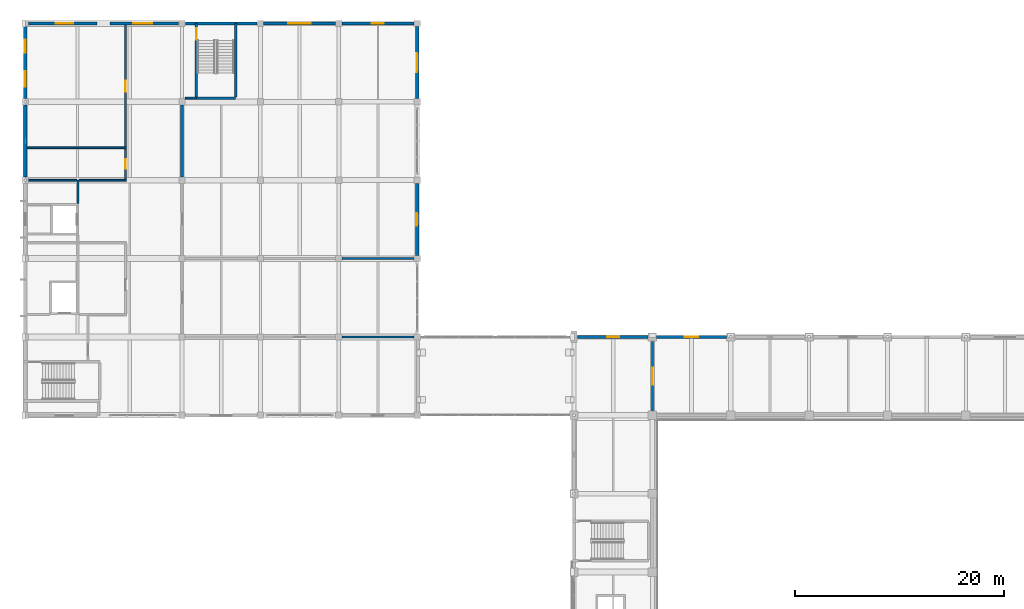
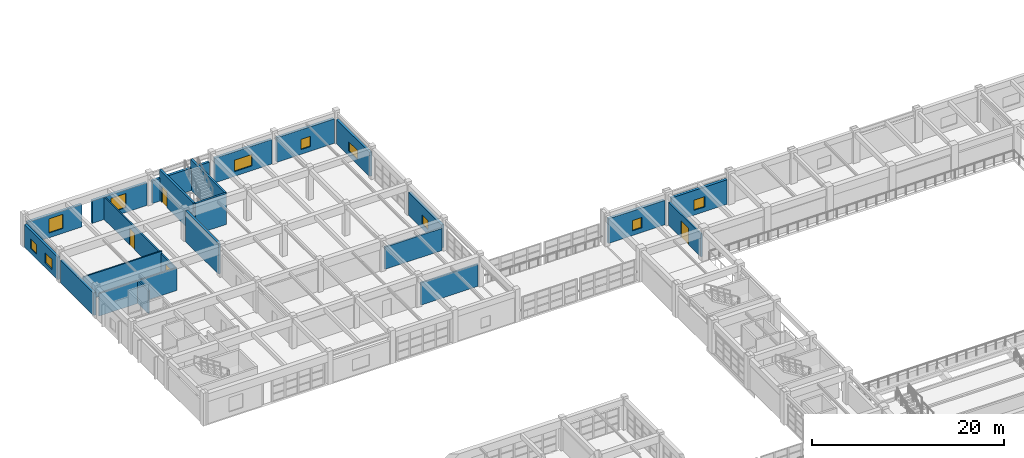
# One storey, part 97 of 124: 25 walls, 10 windows, 4 doors, 14 openings.
"""IFC4 building model written with IfcOpenShell, lengths in metres."""

from ifc_helpers import new_model, si_unit, direction, frame, frame_2d, origin, place, context, subcontext, project, spatial, rectangle, extrude, material, layer, layer_set, type_object, element, fill, save


model = new_model("IFC4")

# Units and contexts
model_context = context("Model", 3, precision=1e-05, world=origin(), true_north=direction((0.0, 1.0)))
body_context = subcontext(model_context, "Body", "Model", "MODEL_VIEW")
ifc_project = project(units=[si_unit("LENGTHUNIT", "METRE"), si_unit("AREAUNIT", "SQUARE_METRE"), si_unit("VOLUMEUNIT", "CUBIC_METRE"), si_unit("PLANEANGLEUNIT", "RADIAN"), si_unit("MASSUNIT", "GRAM", prefix="KILO")], contexts=[model_context])

# Site, building, storey
site_placement = place(None, origin())
site = spatial("IfcSite", under=ifc_project, at=site_placement, CompositionType="ELEMENT")
building_placement = place(site_placement, origin())
building = spatial("IfcBuilding", under=site, at=building_placement, Name="Qasida Concert Hall", CompositionType="ELEMENT")
storey_placement = place(building_placement, frame((0.0, 0.0, 9.0)))
storey = spatial("IfcBuildingStorey", under=building, at=storey_placement, Name="L02", CompositionType="ELEMENT", Elevation=9.0)

# Wall
ifc_material_1 = material(Name="Concrete C40/50", Category="concrete")
ifc_layer_1 = layer(ifc_material_1, 0.25, Name="Concrete C40/50")
ifc_layer_set_1 = layer_set([ifc_layer_1], Name="Concrete C40/50")
wall_type_1 = type_object("IfcWallType", Name="WL-CW-250", PredefinedType="SOLIDWALL", material=ifc_layer_set_1)
wall_1_placement = place(storey_placement, frame((16.3798828125, 105.35498046875, 0.0), z_axis=(0.0, 0.0, 1.0), x_axis=(1.0, 0.0, 0.0)))
element("IfcWall", 1, at=wall_1_placement, inside=storey, type_object=wall_type_1, Name="L02 ST-06 stairwell wall S", PredefinedType="SOLIDWALL", context=body_context, shape_type="SweptSolid", body=[
    extrude(rectangle(XDim=3.740234375, YDim=0.25, at=frame_2d((1.8701171875, 0.0))), origin(), (0.0, 0.0, 1.0), 3.919921875),
])

# Wall, opening, door
wall_2_placement = place(storey_placement, frame((16.375, 105.47998046875, 0.0), z_axis=(0.0, 0.0, 1.0), x_axis=(0.0, 1.0, 0.0)))
wall_2 = element("IfcWall", 2, at=wall_2_placement, inside=storey, type_object=wall_type_1, Name="L02 ST-06 stairwell wall W", PredefinedType="SOLIDWALL", context=body_context, shape_type="SweptSolid", body=[
    extrude(rectangle(XDim=7.02001953125, YDim=0.25, at=frame_2d((3.510009765625, 0.0))), origin(), (0.0, 0.0, 1.0), 3.919921875),
])
opening_1_placement = place(wall_2_placement, frame((5.469970703125, 0.0, 0.0)))
opening_1 = element("IfcOpeningElement", 3, at=opening_1_placement, cuts=wall_2, Name="Opening FD-110", PredefinedType="OPENING", context=body_context, shape_type="SweptSolid", body=[
    extrude(rectangle(XDim=1.10009765625, YDim=2.14990234375, at=frame_2d((0.550048828125, 1.074951171875))), frame((0.0, 0.135009765625, 0.0), z_axis=(0.0, -1.0, 0.0), x_axis=(1.0, 0.0, 0.0)), (0.0, 0.0, 1.0), 0.27001953125),
])
ifc_material_2 = material(Name="Steel fire-rated stair/lobby door set", Category="steel")
door_type_1 = type_object("IfcDoorType", Name="FD-110", OperationType="NOTDEFINED", PredefinedType="DOOR", material=ifc_material_2)
door_1_placement = place(opening_1_placement, origin())
door_1 = element("IfcDoor", 4, at=door_1_placement, inside=storey, type_object=door_type_1, Name="L02 ST-06 rated stair door", OperationType="SINGLE_SWING_LEFT", OverallHeight=2.14990234375, OverallWidth=1.10009765625, PredefinedType="DOOR", context=body_context, shape_type="SweptSolid", body=[
    extrude(rectangle(XDim=1.10009765625, YDim=2.14990234375, at=frame_2d((0.550048828125, 1.074951171875))), frame((0.0, 0.02490234375, 0.0), z_axis=(0.0, -1.0, 0.0), x_axis=(1.0, 0.0, 0.0)), (0.0, 0.0, 1.0), 0.050048828125),
])
fill(opening_1, door_1)

# Wall
wall_3_placement = place(storey_placement, frame((20.125, 105.47998046875, 0.0), z_axis=(0.0, 0.0, 1.0), x_axis=(0.0, 1.0, 0.0)))
element("IfcWall", 5, at=wall_3_placement, inside=storey, type_object=wall_type_1, Name="L02 ST-06 stairwell wall E", PredefinedType="SOLIDWALL", context=body_context, shape_type="SweptSolid", body=[
    extrude(rectangle(XDim=7.02001953125, YDim=0.25, at=frame_2d((3.510009765625, 0.0))), origin(), (0.0, 0.0, 1.0), 3.919921875),
])

# Wall, opening, window
ifc_material_3 = material(Name="Precast concrete C40/50", Category="concrete")
ifc_layer_2 = layer(ifc_material_3, 0.300048828125, Name="Precast concrete C40/50")
ifc_layer_set_2 = layer_set([ifc_layer_2], Name="Precast concrete C40/50")
wall_type_2 = type_object("IfcWallType", Name="WL-EW-300", PredefinedType="SOLIDWALL", material=ifc_layer_set_2)
wall_4_placement = place(storey_placement, frame((0.31494140625, 112.5, 0.0), z_axis=(0.0, 0.0, 1.0), x_axis=(1.0, 0.0, 0.0)))
wall_4 = element("IfcWall", 6, at=wall_4_placement, inside=storey, type_object=wall_type_2, Name="L02 exterior wall EW-300 0259", PredefinedType="SOLIDWALL", context=body_context, shape_type="SweptSolid", body=[
    extrude(rectangle(XDim=6.56494140625, YDim=0.300048828125, at=frame_2d((3.282470703125, 0.0))), origin(), (0.0, 0.0, 1.0), 2.8701171875),
])
opening_2_placement = place(wall_4_placement, frame((2.5849609375, 0.0, 0.60009765625)))
opening_2 = element("IfcOpeningElement", 7, at=opening_2_placement, cuts=wall_4, Name="Opening WN-05", PredefinedType="OPENING", context=body_context, shape_type="SweptSolid", body=[
    extrude(rectangle(XDim=1.699951171875, YDim=1.800048828125, at=frame_2d((0.85009765625, 0.89990234375))), frame((0.0, 0.159912109375, 0.0), z_axis=(0.0, -1.0, 0.0), x_axis=(1.0, 0.0, 0.0)), (0.0, 0.0, 1.0), 0.320068359375),
])
ifc_material_4 = material(Name="Bronze-anodized aluminium frame with acoustic low-E glazing", Category="aluminium")
window_type_1 = type_object("IfcWindowType", Name="WN-05", PartitioningType="SINGLE_PANEL", PredefinedType="WINDOW", material=ifc_material_4)
window_1_placement = place(opening_2_placement, origin())
window_1 = element("IfcWindow", 8, at=window_1_placement, inside=storey, type_object=window_type_1, Name="L02 window WN-05 0133", OverallHeight=1.800048828125, OverallWidth=1.699951171875, PartitioningType="SINGLE_PANEL", PredefinedType="WINDOW", context=body_context, shape_type="SweptSolid", body=[
    extrude(rectangle(XDim=1.699951171875, YDim=1.800048828125, at=frame_2d((0.85009765625, 0.89990234375))), frame((0.0, 0.030029296875, 0.0), z_axis=(0.0, -1.0, 0.0), x_axis=(1.0, 0.0, 0.0)), (0.0, 0.0, 1.0), 0.06005859375),
])
fill(opening_2, window_1)

wall_5_placement = place(storey_placement, frame((8.1201171875, 112.5, 0.0), z_axis=(0.0, 0.0, 1.0), x_axis=(1.0, 0.0, 0.0)))
wall_5 = element("IfcWall", 9, at=wall_5_placement, inside=storey, type_object=wall_type_2, Name="L02 exterior wall EW-300 0261", PredefinedType="SOLIDWALL", context=body_context, shape_type="SweptSolid", body=[
    extrude(rectangle(XDim=6.56494140625, YDim=0.300048828125, at=frame_2d((3.282470703125, 0.0))), origin(), (0.0, 0.0, 1.0), 2.8701171875),
])
opening_3_placement = place(wall_5_placement, frame((2.205078125, 0.0, 0.60009765625)))
opening_3 = element("IfcOpeningElement", 10, at=opening_3_placement, cuts=wall_5, Name="Opening WN-06", PredefinedType="OPENING", context=body_context, shape_type="SweptSolid", body=[
    extrude(rectangle(XDim=1.85009765625, YDim=1.800048828125, at=frame_2d((0.925048828125, 0.89990234375))), frame((0.0, 0.159912109375, 0.0), z_axis=(0.0, -1.0, 0.0), x_axis=(1.0, 0.0, 0.0)), (0.0, 0.0, 1.0), 0.320068359375),
])
window_type_2 = type_object("IfcWindowType", Name="WN-06", PartitioningType="SINGLE_PANEL", PredefinedType="WINDOW", material=ifc_material_4)
window_2_placement = place(opening_3_placement, origin())
window_2 = element("IfcWindow", 11, at=window_2_placement, inside=storey, type_object=window_type_2, Name="L02 window WN-06 0135", OverallHeight=1.800048828125, OverallWidth=1.85009765625, PartitioningType="SINGLE_PANEL", PredefinedType="WINDOW", context=body_context, shape_type="SweptSolid", body=[
    extrude(rectangle(XDim=1.85009765625, YDim=1.800048828125, at=frame_2d((0.925048828125, 0.89990234375))), frame((0.0, 0.030029296875, 0.0), z_axis=(0.0, -1.0, 0.0), x_axis=(1.0, 0.0, 0.0)), (0.0, 0.0, 1.0), 0.06005859375),
])
fill(opening_3, window_2)

# Wall
wall_6_placement = place(storey_placement, frame((15.31494140625, 112.5, 0.0), z_axis=(0.0, 0.0, 1.0), x_axis=(1.0, 0.0, 0.0)))
element("IfcWall", 12, at=wall_6_placement, inside=storey, type_object=wall_type_2, Name="L02 exterior wall EW-300 0262", PredefinedType="SOLIDWALL", context=body_context, shape_type="SweptSolid", body=[
    extrude(rectangle(XDim=6.8701171875, YDim=0.300048828125, at=frame_2d((3.43505859375, 0.0))), origin(), (0.0, 0.0, 1.0), 2.8701171875),
])

# Wall, opening, window
wall_7_placement = place(storey_placement, frame((22.81494140625, 112.5, 0.0), z_axis=(0.0, 0.0, 1.0), x_axis=(1.0, 0.0, 0.0)))
wall_7 = element("IfcWall", 13, at=wall_7_placement, inside=storey, type_object=wall_type_2, Name="L02 exterior wall EW-300 0264", PredefinedType="SOLIDWALL", context=body_context, shape_type="SweptSolid", body=[
    extrude(rectangle(XDim=6.8701171875, YDim=0.300048828125, at=frame_2d((3.43505859375, 0.0))), origin(), (0.0, 0.0, 1.0), 3.1201171875),
])
opening_4_placement = place(wall_7_placement, frame((2.360107421875, 0.0, 0.60009765625)))
opening_4 = element("IfcOpeningElement", 14, at=opening_4_placement, cuts=wall_7, Name="Opening WN-08", PredefinedType="OPENING", context=body_context, shape_type="SweptSolid", body=[
    extrude(rectangle(XDim=2.14990234375, YDim=1.449951171875, at=frame_2d((1.074951171875, 0.72509765625))), frame((0.0, 0.159912109375, 0.0), z_axis=(0.0, -1.0, 0.0), x_axis=(1.0, 0.0, 0.0)), (0.0, 0.0, 1.0), 0.320068359375),
])
window_type_3 = type_object("IfcWindowType", Name="WN-08", PartitioningType="SINGLE_PANEL", PredefinedType="WINDOW", material=ifc_material_4)
window_3_placement = place(opening_4_placement, origin())
window_3 = element("IfcWindow", 15, at=window_3_placement, inside=storey, type_object=window_type_3, Name="L02 window WN-08 0137", OverallHeight=1.449951171875, OverallWidth=2.14990234375, PartitioningType="SINGLE_PANEL", PredefinedType="WINDOW", context=body_context, shape_type="SweptSolid", body=[
    extrude(rectangle(XDim=2.14990234375, YDim=1.449951171875, at=frame_2d((1.074951171875, 0.72509765625))), frame((0.0, 0.030029296875, 0.0), z_axis=(0.0, -1.0, 0.0), x_axis=(1.0, 0.0, 0.0)), (0.0, 0.0, 1.0), 0.06005859375),
])
fill(opening_4, window_3)

wall_8_placement = place(storey_placement, frame((30.31494140625, 112.5, 0.0), z_axis=(0.0, 0.0, 1.0), x_axis=(1.0, 0.0, 0.0)))
wall_8 = element("IfcWall", 16, at=wall_8_placement, inside=storey, type_object=wall_type_2, Name="L02 exterior wall EW-300 0265", PredefinedType="SOLIDWALL", context=body_context, shape_type="SweptSolid", body=[
    extrude(rectangle(XDim=6.8701171875, YDim=0.300048828125, at=frame_2d((3.43505859375, 0.0))), origin(), (0.0, 0.0, 1.0), 3.1201171875),
])
opening_5_placement = place(wall_8_placement, frame((2.860107421875, 0.0, 0.60009765625)))
opening_5 = element("IfcOpeningElement", 17, at=opening_5_placement, cuts=wall_8, Name="Opening WN-09", PredefinedType="OPENING", context=body_context, shape_type="SweptSolid", body=[
    extrude(rectangle(XDim=1.14990234375, YDim=1.300048828125, at=frame_2d((0.574951171875, 0.64990234375))), frame((0.0, 0.159912109375, 0.0), z_axis=(0.0, -1.0, 0.0), x_axis=(1.0, 0.0, 0.0)), (0.0, 0.0, 1.0), 0.320068359375),
])
window_type_4 = type_object("IfcWindowType", Name="WN-09", PartitioningType="SINGLE_PANEL", PredefinedType="WINDOW", material=ifc_material_4)
window_4_placement = place(opening_5_placement, origin())
window_4 = element("IfcWindow", 18, at=window_4_placement, inside=storey, type_object=window_type_4, Name="L02 window WN-09 0138", OverallHeight=1.300048828125, OverallWidth=1.14990234375, PartitioningType="SINGLE_PANEL", PredefinedType="WINDOW", context=body_context, shape_type="SweptSolid", body=[
    extrude(rectangle(XDim=1.14990234375, YDim=1.300048828125, at=frame_2d((0.574951171875, 0.64990234375))), frame((0.0, 0.030029296875, 0.0), z_axis=(0.0, -1.0, 0.0), x_axis=(1.0, 0.0, 0.0)), (0.0, 0.0, 1.0), 0.06005859375),
])
fill(opening_5, window_4)

wall_9_placement = place(storey_placement, frame((37.5, 90.304931640625, 0.0), z_axis=(0.0, 0.0, 1.0), x_axis=(0.0, 1.0, 0.0)))
wall_9 = element("IfcWall", 19, at=wall_9_placement, inside=storey, type_object=wall_type_2, Name="L02 exterior wall EW-300 0270", PredefinedType="SOLIDWALL", context=body_context, shape_type="SweptSolid", body=[
    extrude(rectangle(XDim=6.89013671875, YDim=0.300048828125, at=frame_2d((3.445068359375, 0.0))), origin(), (0.0, 0.0, 1.0), 2.919921875),
])
opening_6_placement = place(wall_9_placement, frame((2.844970703125, 0.0, 0.60009765625)))
opening_6 = element("IfcOpeningElement", 20, at=opening_6_placement, cuts=wall_9, Name="Opening WN-17", PredefinedType="OPENING", context=body_context, shape_type="SweptSolid", body=[
    extrude(rectangle(XDim=1.199951171875, YDim=1.199951171875, at=frame_2d((0.60009765625, 0.60009765625))), frame((0.0, 0.159912109375, 0.0), z_axis=(0.0, -1.0, 0.0), x_axis=(1.0, 0.0, 0.0)), (0.0, 0.0, 1.0), 0.320068359375),
])
window_type_5 = type_object("IfcWindowType", Name="WN-17", PartitioningType="SINGLE_PANEL", PredefinedType="WINDOW", material=ifc_material_4)
window_5_placement = place(opening_6_placement, origin())
window_5 = element("IfcWindow", 21, at=window_5_placement, inside=storey, type_object=window_type_5, Name="L02 window WN-17 0141", OverallHeight=1.199951171875, OverallWidth=1.199951171875, PartitioningType="SINGLE_PANEL", PredefinedType="WINDOW", context=body_context, shape_type="SweptSolid", body=[
    extrude(rectangle(XDim=1.199951171875, YDim=1.199951171875, at=frame_2d((0.60009765625, 0.60009765625))), frame((0.0, 0.030029296875, 0.0), z_axis=(0.0, -1.0, 0.0), x_axis=(1.0, 0.0, 0.0)), (0.0, 0.0, 1.0), 0.06005859375),
])
fill(opening_6, window_5)

# Wall, openings, windows
wall_10_placement = place(storey_placement, frame((0.0, 105.304931640625, 0.0), z_axis=(0.0, 0.0, 1.0), x_axis=(0.0, 1.0, 0.0)))
wall_10 = element("IfcWall", 22, at=wall_10_placement, inside=storey, type_object=wall_type_2, Name="L02 exterior wall EW-300 0272", PredefinedType="SOLIDWALL", context=body_context, shape_type="SweptSolid", body=[
    extrude(rectangle(XDim=6.89013671875, YDim=0.300048828125, at=frame_2d((3.445068359375, 0.0))), origin(), (0.0, 0.0, 1.0), 2.8701171875),
])
opening_7_placement = place(wall_10_placement, frame((1.155029296875, 0.0, 0.60009765625)))
opening_7 = element("IfcOpeningElement", 23, at=opening_7_placement, cuts=wall_10, Name="Opening WN-11", PredefinedType="OPENING", context=body_context, shape_type="SweptSolid", body=[
    extrude(rectangle(XDim=1.449951171875, YDim=1.300048828125, at=frame_2d((0.72509765625, 0.64990234375))), frame((0.0, 0.159912109375, 0.0), z_axis=(0.0, -1.0, 0.0), x_axis=(1.0, 0.0, 0.0)), (0.0, 0.0, 1.0), 0.320068359375),
])
opening_8_placement = place(wall_10_placement, frame((4.409912109375, 0.0, 0.60009765625)))
opening_8 = element("IfcOpeningElement", 24, at=opening_8_placement, cuts=wall_10, Name="Opening WN-17", PredefinedType="OPENING", context=body_context, shape_type="SweptSolid", body=[
    extrude(rectangle(XDim=1.199951171875, YDim=1.199951171875, at=frame_2d((0.60009765625, 0.60009765625))), frame((0.0, 0.159912109375, 0.0), z_axis=(0.0, -1.0, 0.0), x_axis=(1.0, 0.0, 0.0)), (0.0, 0.0, 1.0), 0.320068359375),
])
window_type_6 = type_object("IfcWindowType", Name="WN-11", PartitioningType="SINGLE_PANEL", PredefinedType="WINDOW", material=ifc_material_4)
window_6_placement = place(opening_7_placement, origin())
window_6 = element("IfcWindow", 25, at=window_6_placement, inside=storey, type_object=window_type_6, Name="L02 window WN-11 0142", OverallHeight=1.300048828125, OverallWidth=1.449951171875, PartitioningType="SINGLE_PANEL", PredefinedType="WINDOW", context=body_context, shape_type="SweptSolid", body=[
    extrude(rectangle(XDim=1.449951171875, YDim=1.300048828125, at=frame_2d((0.72509765625, 0.64990234375))), frame((0.0, 0.030029296875, 0.0), z_axis=(0.0, -1.0, 0.0), x_axis=(1.0, 0.0, 0.0)), (0.0, 0.0, 1.0), 0.06005859375),
])
fill(opening_7, window_6)
window_7_placement = place(opening_8_placement, origin())
window_7 = element("IfcWindow", 26, at=window_7_placement, inside=storey, type_object=window_type_5, Name="L02 window WN-17 0143", OverallHeight=1.199951171875, OverallWidth=1.199951171875, PartitioningType="SINGLE_PANEL", PredefinedType="WINDOW", context=body_context, shape_type="SweptSolid", body=[
    extrude(rectangle(XDim=1.199951171875, YDim=1.199951171875, at=frame_2d((0.60009765625, 0.60009765625))), frame((0.0, 0.030029296875, 0.0), z_axis=(0.0, -1.0, 0.0), x_axis=(1.0, 0.0, 0.0)), (0.0, 0.0, 1.0), 0.06005859375),
])
fill(opening_8, window_7)

# Wall, opening, window
wall_11_placement = place(storey_placement, frame((37.5, 105.304931640625, 0.0), z_axis=(0.0, 0.0, 1.0), x_axis=(0.0, 1.0, 0.0)))
wall_11 = element("IfcWall", 27, at=wall_11_placement, inside=storey, type_object=wall_type_2, Name="L02 exterior wall EW-300 0273", PredefinedType="SOLIDWALL", context=body_context, shape_type="SweptSolid", body=[
    extrude(rectangle(XDim=6.89013671875, YDim=0.300048828125, at=frame_2d((3.445068359375, 0.0))), origin(), (0.0, 0.0, 1.0), 3.070068359375),
])
opening_9_placement = place(wall_11_placement, frame((2.544921875, 0.0, 0.60009765625)))
opening_9 = element("IfcOpeningElement", 28, at=opening_9_placement, cuts=wall_11, Name="Opening WN-19", PredefinedType="OPENING", context=body_context, shape_type="SweptSolid", body=[
    extrude(rectangle(XDim=1.800048828125, YDim=1.199951171875, at=frame_2d((0.89990234375, 0.60009765625))), frame((0.0, 0.159912109375, 0.0), z_axis=(0.0, -1.0, 0.0), x_axis=(1.0, 0.0, 0.0)), (0.0, 0.0, 1.0), 0.320068359375),
])
window_type_7 = type_object("IfcWindowType", Name="WN-19", PartitioningType="SINGLE_PANEL", PredefinedType="WINDOW", material=ifc_material_4)
window_8_placement = place(opening_9_placement, origin())
window_8 = element("IfcWindow", 29, at=window_8_placement, inside=storey, type_object=window_type_7, Name="L02 window WN-19 0144", OverallHeight=1.199951171875, OverallWidth=1.800048828125, PartitioningType="SINGLE_PANEL", PredefinedType="WINDOW", context=body_context, shape_type="SweptSolid", body=[
    extrude(rectangle(XDim=1.800048828125, YDim=1.199951171875, at=frame_2d((0.89990234375, 0.60009765625))), frame((0.0, 0.030029296875, 0.0), z_axis=(0.0, -1.0, 0.0), x_axis=(1.0, 0.0, 0.0)), (0.0, 0.0, 1.0), 0.06005859375),
])
fill(opening_9, window_8)

ifc_layer_3 = layer(ifc_material_3, 0.320068359375, Name="Precast concrete C40/50")
ifc_layer_set_3 = layer_set([ifc_layer_3], Name="Precast concrete C40/50")
wall_type_3 = type_object("IfcWallType", Name="WL-EW-320", PredefinedType="SOLIDWALL", material=ifc_layer_set_3)
wall_12_placement = place(storey_placement, frame((52.81494140625, 82.5, 0.0), z_axis=(0.0, 0.0, 1.0), x_axis=(1.0, 0.0, 0.0)))
wall_12 = element("IfcWall", 30, at=wall_12_placement, inside=storey, type_object=wall_type_3, Name="L02 exterior wall EW-320 0055", PredefinedType="SOLIDWALL", context=body_context, shape_type="SweptSolid", body=[
    extrude(rectangle(XDim=6.77001953125, YDim=0.320068359375, at=frame_2d((3.385009765625, 0.0))), origin(), (0.0, 0.0, 1.0), 3.1201171875),
])
opening_10_placement = place(wall_12_placement, frame((2.860107421875, 0.0, 0.60009765625)))
opening_10 = element("IfcOpeningElement", 31, at=opening_10_placement, cuts=wall_12, Name="Opening WN-09", PredefinedType="OPENING", context=body_context, shape_type="SweptSolid", body=[
    extrude(rectangle(XDim=1.14990234375, YDim=1.300048828125, at=frame_2d((0.574951171875, 0.64990234375))), frame((0.0, 0.169921875, 0.0), z_axis=(0.0, -1.0, 0.0), x_axis=(1.0, 0.0, 0.0)), (0.0, 0.0, 1.0), 0.340087890625),
])
window_9_placement = place(opening_10_placement, origin())
window_9 = element("IfcWindow", 32, at=window_9_placement, inside=storey, type_object=window_type_4, Name="L02 window WN-09 0016", OverallHeight=1.300048828125, OverallWidth=1.14990234375, PartitioningType="SINGLE_PANEL", PredefinedType="WINDOW", context=body_context, shape_type="SweptSolid", body=[
    extrude(rectangle(XDim=1.14990234375, YDim=1.300048828125, at=frame_2d((0.574951171875, 0.64990234375))), frame((0.0, 0.030029296875, 0.0), z_axis=(0.0, -1.0, 0.0), x_axis=(1.0, 0.0, 0.0)), (0.0, 0.0, 1.0), 0.06005859375),
])
fill(opening_10, window_9)

wall_13_placement = place(storey_placement, frame((60.4150390625, 82.5, 0.0), z_axis=(0.0, 0.0, 1.0), x_axis=(1.0, 0.0, 0.0)))
wall_13 = element("IfcWall", 33, at=wall_13_placement, inside=storey, type_object=wall_type_3, Name="L02 exterior wall EW-320 0056", PredefinedType="SOLIDWALL", context=body_context, shape_type="SweptSolid", body=[
    extrude(rectangle(XDim=6.669921875, YDim=0.320068359375, at=frame_2d((3.3349609375, 0.0))), origin(), (0.0, 0.0, 1.0), 3.1201171875),
])
opening_11_placement = place(wall_13_placement, frame((2.68505859375, 0.0, 0.60009765625)))
opening_11 = element("IfcOpeningElement", 34, at=opening_11_placement, cuts=wall_13, Name="Opening WN-10", PredefinedType="OPENING", context=body_context, shape_type="SweptSolid", body=[
    extrude(rectangle(XDim=1.300048828125, YDim=1.300048828125, at=frame_2d((0.64990234375, 0.64990234375))), frame((0.0, 0.169921875, 0.0), z_axis=(0.0, -1.0, 0.0), x_axis=(1.0, 0.0, 0.0)), (0.0, 0.0, 1.0), 0.340087890625),
])
window_type_8 = type_object("IfcWindowType", Name="WN-10", PartitioningType="SINGLE_PANEL", PredefinedType="WINDOW", material=ifc_material_4)
window_10_placement = place(opening_11_placement, origin())
window_10 = element("IfcWindow", 35, at=window_10_placement, inside=storey, type_object=window_type_8, Name="L02 window WN-10 0017", OverallHeight=1.300048828125, OverallWidth=1.300048828125, PartitioningType="SINGLE_PANEL", PredefinedType="WINDOW", context=body_context, shape_type="SweptSolid", body=[
    extrude(rectangle(XDim=1.300048828125, YDim=1.300048828125, at=frame_2d((0.64990234375, 0.64990234375))), frame((0.0, 0.030029296875, 0.0), z_axis=(0.0, -1.0, 0.0), x_axis=(1.0, 0.0, 0.0)), (0.0, 0.0, 1.0), 0.06005859375),
])
fill(opening_11, window_10)

# Walls
wall_14_placement = place(storey_placement, frame((0.0, 97.804931640625, 0.0), z_axis=(0.0, 0.0, 1.0), x_axis=(0.0, 1.0, 0.0)))
element("IfcWall", 36, at=wall_14_placement, inside=storey, type_object=wall_type_3, Name="L02 exterior wall EW-320 0271", PredefinedType="SOLIDWALL", context=body_context, shape_type="SweptSolid", body=[
    extrude(rectangle(XDim=6.89013671875, YDim=0.320068359375, at=frame_2d((3.445068359375, 0.0))), origin(), (0.0, 0.0, 1.0), 2.8701171875),
])
ifc_material_5 = material(Name="Moisture-resistant gypsum partition", Category="gypsum")
ifc_layer_4 = layer(ifc_material_5, 0.159912109375, Name="Moisture-resistant gypsum partition")
ifc_layer_set_4 = layer_set([ifc_layer_4], Name="Moisture-resistant gypsum partition")
wall_type_4 = type_object("IfcWallType", Name="WL-PW-160", PredefinedType="PARTITIONING", material=ifc_layer_set_4)
wall_15_placement = place(storey_placement, frame((0.31396484375, 97.5, 0.0), z_axis=(0.0, 0.0, 1.0), x_axis=(1.0, 0.0, 0.0)))
element("IfcWall", 37, at=wall_15_placement, inside=storey, type_object=wall_type_4, Name="L02 partition PW-160 0312", PredefinedType="PARTITIONING", context=body_context, shape_type="SweptSolid", body=[
    extrude(rectangle(XDim=4.632080078125, YDim=0.159912109375, at=frame_2d((2.31591796875, 0.0))), origin(), (0.0, 0.0, 1.0), 2.8701171875),
])
wall_16_placement = place(storey_placement, frame((5.154052734375, 97.5, 0.0), z_axis=(0.0, 0.0, 1.0), x_axis=(1.0, 0.0, 0.0)))
element("IfcWall", 38, at=wall_16_placement, inside=storey, type_object=wall_type_4, Name="L02 partition PW-160 0313", PredefinedType="PARTITIONING", context=body_context, shape_type="SweptSolid", body=[
    extrude(rectangle(XDim=4.52587890625, YDim=0.159912109375, at=frame_2d((2.262939453125, 0.0))), origin(), (0.0, 0.0, 1.0), 2.8701171875),
])
wall_17_placement = place(storey_placement, frame((0.174072265625, 100.60009765625, 0.0), z_axis=(0.0, 0.0, 1.0), x_axis=(1.0, 0.0, 0.0)))
element("IfcWall", 39, at=wall_17_placement, inside=storey, type_object=wall_type_4, Name="L02 partition PW-160 0314", PredefinedType="PARTITIONING", context=body_context, shape_type="SweptSolid", body=[
    extrude(rectangle(XDim=9.505859375, YDim=0.159912109375, at=frame_2d((4.7529296875, 0.0))), origin(), (0.0, 0.0, 1.0), 3.1201171875),
])

# Wall, opening, door
wall_18_placement = place(storey_placement, frame((9.60009765625, 97.593994140625, 0.0), z_axis=(0.0, 0.0, 1.0), x_axis=(0.0, 1.0, 0.0)))
wall_18 = element("IfcWall", 40, at=wall_18_placement, inside=storey, type_object=wall_type_4, Name="L02 partition PW-160 0315", PredefinedType="PARTITIONING", context=body_context, shape_type="SweptSolid", body=[
    extrude(rectangle(XDim=2.912109375, YDim=0.159912109375, at=frame_2d((1.4560546875, 0.0))), origin(), (0.0, 0.0, 1.0), 2.8701171875),
])
opening_12_placement = place(wall_18_placement, frame((0.98095703125, 0.0, 0.0)))
opening_12 = element("IfcOpeningElement", 41, at=opening_12_placement, cuts=wall_18, Name="Opening ID-095", PredefinedType="OPENING", context=body_context, shape_type="SweptSolid", body=[
    extrude(rectangle(XDim=0.949951171875, YDim=2.10009765625, at=frame_2d((0.47509765625, 1.050048828125))), frame((0.0, 0.08984375, 0.0), z_axis=(0.0, -1.0, 0.0), x_axis=(1.0, 0.0, 0.0)), (0.0, 0.0, 1.0), 0.179931640625),
])
ifc_material_6 = material(Name="Quarter-sawn oak accessible WC door", Category="wood")
door_type_2 = type_object("IfcDoorType", Name="ID-095", OperationType="NOTDEFINED", PredefinedType="DOOR", material=ifc_material_6)
door_2_placement = place(opening_12_placement, origin())
door_2 = element("IfcDoor", 42, at=door_2_placement, inside=storey, type_object=door_type_2, Name="L02 Conservatory accessible WC door", OperationType="SINGLE_SWING_RIGHT", OverallHeight=2.10009765625, OverallWidth=0.949951171875, PredefinedType="DOOR", context=body_context, shape_type="SweptSolid", body=[
    extrude(rectangle(XDim=0.949951171875, YDim=2.10009765625, at=frame_2d((0.47509765625, 1.050048828125))), frame((0.0, 0.02490234375, 0.0), z_axis=(0.0, -1.0, 0.0), x_axis=(1.0, 0.0, 0.0)), (0.0, 0.0, 1.0), 0.050048828125),
])
fill(opening_12, door_2)

wall_19_placement = place(storey_placement, frame((9.60009765625, 100.694091796875, 0.0), z_axis=(0.0, 0.0, 1.0), x_axis=(0.0, 1.0, 0.0)))
wall_19 = element("IfcWall", 43, at=wall_19_placement, inside=storey, type_object=wall_type_4, Name="L02 partition PW-160 0316", PredefinedType="PARTITIONING", context=body_context, shape_type="SweptSolid", body=[
    extrude(rectangle(XDim=11.641845703125, YDim=0.159912109375, at=frame_2d((5.82080078125, 0.0))), origin(), (0.0, 0.0, 1.0), 2.8701171875),
])
opening_13_placement = place(wall_19_placement, frame((5.281005859375, 0.0, 0.0)))
opening_13 = element("IfcOpeningElement", 44, at=opening_13_placement, cuts=wall_19, Name="Opening ID-105", PredefinedType="OPENING", context=body_context, shape_type="SweptSolid", body=[
    extrude(rectangle(XDim=1.050048828125, YDim=2.1201171875, at=frame_2d((0.52490234375, 1.06005859375))), frame((0.0, 0.08984375, 0.0), z_axis=(0.0, -1.0, 0.0), x_axis=(1.0, 0.0, 0.0)), (0.0, 0.0, 1.0), 0.179931640625),
])
ifc_material_7 = material(Name="Quarter-sawn oak practice studio door", Category="wood")
door_type_3 = type_object("IfcDoorType", Name="ID-105", OperationType="NOTDEFINED", PredefinedType="DOOR", material=ifc_material_7)
door_3_placement = place(opening_13_placement, origin())
door_3 = element("IfcDoor", 45, at=door_3_placement, inside=storey, type_object=door_type_3, Name="L02 Ensemble warmup room door", OperationType="SINGLE_SWING_LEFT", OverallHeight=2.1201171875, OverallWidth=1.050048828125, PredefinedType="DOOR", context=body_context, shape_type="SweptSolid", body=[
    extrude(rectangle(XDim=1.050048828125, YDim=2.1201171875, at=frame_2d((0.52490234375, 1.06005859375))), frame((0.0, 0.02490234375, 0.0), z_axis=(0.0, -1.0, 0.0), x_axis=(1.0, 0.0, 0.0)), (0.0, 0.0, 1.0), 0.050048828125),
])
fill(opening_13, door_3)

# Walls
ifc_material_8 = material(Name="Acoustic metal-stud gypsum partition", Category="gypsum")
ifc_layer_5 = layer(ifc_material_8, 0.179931640625, Name="Acoustic metal-stud gypsum partition")
ifc_layer_set_5 = layer_set([ifc_layer_5], Name="Acoustic metal-stud gypsum partition")
wall_type_5 = type_object("IfcWallType", Name="WL-PW-180", PredefinedType="PARTITIONING", material=ifc_layer_set_5)
wall_20_placement = place(storey_placement, frame((5.050048828125, 95.27392578125, 0.0), z_axis=(0.0, 0.0, 1.0), x_axis=(0.0, 1.0, 0.0)))
element("IfcWall", 46, at=wall_20_placement, inside=storey, type_object=wall_type_5, Name="L02 partition PW-180 0311", PredefinedType="PARTITIONING", context=body_context, shape_type="SweptSolid", body=[
    extrude(rectangle(XDim=2.22607421875, YDim=0.179931640625, at=frame_2d((1.113037109375, 0.0))), origin(), (0.0, 0.0, 1.0), 2.8701171875),
])
wall_21_placement = place(storey_placement, frame((15.31396484375, 105.35009765625, 0.0), z_axis=(0.0, 0.0, 1.0), x_axis=(1.0, 0.0, 0.0)))
element("IfcWall", 47, at=wall_21_placement, inside=storey, type_object=wall_type_5, Name="L02 partition PW-180 0317", PredefinedType="PARTITIONING", context=body_context, shape_type="SweptSolid", body=[
    extrude(rectangle(XDim=1.06591796875, YDim=0.179931640625, at=frame_2d((0.532958984375, 0.0))), origin(), (0.0, 0.0, 1.0), 2.820068359375),
])
wall_22_placement = place(storey_placement, frame((30.31396484375, 82.5, 0.0), z_axis=(0.0, 0.0, 1.0), x_axis=(1.0, 0.0, 0.0)))
element("IfcWall", 48, at=wall_22_placement, inside=storey, type_object=wall_type_5, Name="L02 partition PW-180 0320", PredefinedType="PARTITIONING", context=body_context, shape_type="SweptSolid", body=[
    extrude(rectangle(XDim=6.8720703125, YDim=0.179931640625, at=frame_2d((3.43603515625, 0.0))), origin(), (0.0, 0.0, 1.0), 2.820068359375),
])
ifc_material_9 = material(Name="Acoustic gypsum block and mineral wool", Category="gypsum")
ifc_layer_6 = layer(ifc_material_9, 0.199951171875, Name="Acoustic gypsum block and mineral wool")
ifc_layer_set_6 = layer_set([ifc_layer_6], Name="Acoustic gypsum block and mineral wool")
wall_type_6 = type_object("IfcWallType", Name="WL-PW-200", PredefinedType="PARTITIONING", material=ifc_layer_set_6)
wall_23_placement = place(storey_placement, frame((30.31396484375, 90.0, 0.0), z_axis=(0.0, 0.0, 1.0), x_axis=(1.0, 0.0, 0.0)))
element("IfcWall", 49, at=wall_23_placement, inside=storey, type_object=wall_type_6, Name="L02 partition PW-200 0323", PredefinedType="PARTITIONING", context=body_context, shape_type="SweptSolid", body=[
    extrude(rectangle(XDim=6.8720703125, YDim=0.199951171875, at=frame_2d((3.43603515625, 0.0))), origin(), (0.0, 0.0, 1.0), 2.820068359375),
])

# Wall, opening, door
wall_24_placement = place(storey_placement, frame((60.0, 75.4140625, 0.0), z_axis=(0.0, 0.0, 1.0), x_axis=(0.0, 1.0, 0.0)))
wall_24 = element("IfcWall", 50, at=wall_24_placement, inside=storey, type_object=wall_type_6, Name="L02 partition PW-200 0478", PredefinedType="PARTITIONING", context=body_context, shape_type="SweptSolid", body=[
    extrude(rectangle(XDim=6.671875, YDim=0.199951171875, at=frame_2d((3.3359375, 0.0))), origin(), (0.0, 0.0, 1.0), 2.919921875),
])
opening_14_placement = place(wall_24_placement, frame((2.535888671875, 0.0, 0.0)))
opening_14 = element("IfcOpeningElement", 51, at=opening_14_placement, cuts=wall_24, Name="Opening FD-160", PredefinedType="OPENING", context=body_context, shape_type="SweptSolid", body=[
    extrude(rectangle(XDim=1.60009765625, YDim=2.14990234375, at=frame_2d((0.800048828125, 1.074951171875))), frame((0.0, 0.10986328125, 0.0), z_axis=(0.0, -1.0, 0.0), x_axis=(1.0, 0.0, 0.0)), (0.0, 0.0, 1.0), 0.219970703125),
])
ifc_material_10 = material(Name="Double-leaf acoustic fire door", Category="steel")
door_type_4 = type_object("IfcDoorType", Name="FD-160", OperationType="NOTDEFINED", PredefinedType="DOOR", material=ifc_material_10)
door_4_placement = place(opening_14_placement, origin())
door_4 = element("IfcDoor", 52, at=door_4_placement, inside=storey, type_object=door_type_4, Name="L02 L02 north gallery west fire door", OperationType="SINGLE_SWING_RIGHT", OverallHeight=2.14990234375, OverallWidth=1.60009765625, PredefinedType="DOOR", context=body_context, shape_type="SweptSolid", body=[
    extrude(rectangle(XDim=1.60009765625, YDim=2.14990234375, at=frame_2d((0.800048828125, 1.074951171875))), frame((0.0, 0.02490234375, 0.0), z_axis=(0.0, -1.0, 0.0), x_axis=(1.0, 0.0, 0.0)), (0.0, 0.0, 1.0), 0.050048828125),
])
fill(opening_14, door_4)

# Wall
ifc_layer_7 = layer(ifc_material_1, 0.280029296875, Name="Concrete C40/50")
ifc_layer_set_7 = layer_set([ifc_layer_7], Name="Concrete C40/50")
wall_type_7 = type_object("IfcWallType", Name="WL-SW-280", PredefinedType="SHEAR", material=ifc_layer_set_7)
wall_25_placement = place(storey_placement, frame((15.0, 97.800048828125, 0.0), z_axis=(0.0, 0.0, 1.0), x_axis=(0.0, 1.0, 0.0)))
element("IfcWall", 53, at=wall_25_placement, inside=storey, type_object=wall_type_7, Name="L02 V5 conservatory shear wall 0028", PredefinedType="SHEAR", context=body_context, shape_type="SweptSolid", body=[
    extrude(rectangle(XDim=6.89990234375, YDim=0.280029296875, at=frame_2d((3.449951171875, 0.0))), origin(), (0.0, 0.0, 1.0), 3.89990234375),
])

save(model, "model.ifc")
